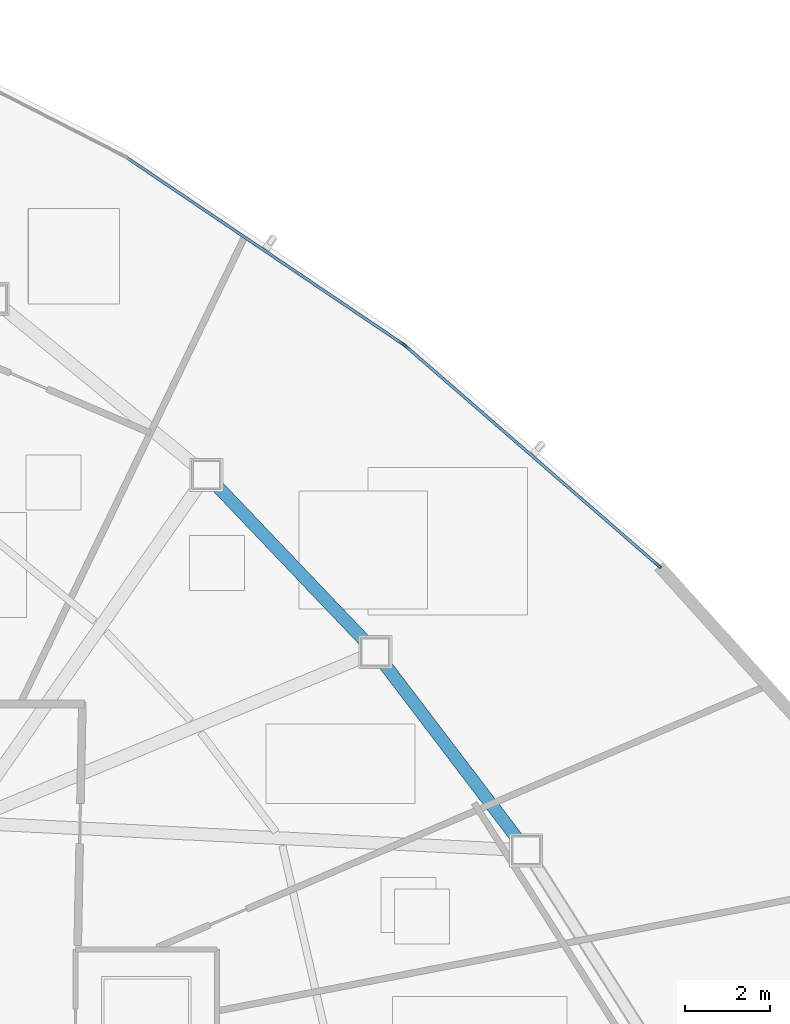
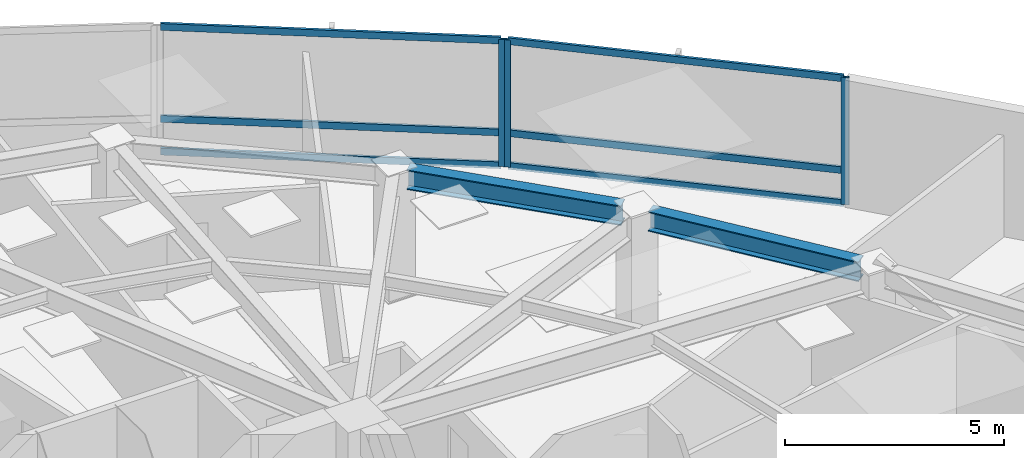
# One storey, part 9 of 17: 9 members, 2 beams, 2 elements without a shape of their own.
"""IFC4 building model written with IfcOpenShell, lengths in metres."""

from ifc_helpers import new_model, si_unit, direction, frame, origin, origin_2d, place, context, subcontext, project, spatial, hollow_rectangle, i_section, extrude, source, transform, mapped, material, layer, layer_set, material_profile, profile_set, type_object, type_shapes, element, aggregate, save


model = new_model("IFC4")

# Units and contexts
model_context = context("Model", 3, precision=1e-05, world=origin(), true_north=direction((0.0, 1.0)))
body_context = subcontext(model_context, "Body", "Model", "MODEL_VIEW")
ifc_project = project(units=[si_unit("LENGTHUNIT", "METRE"), si_unit("AREAUNIT", "SQUARE_METRE"), si_unit("VOLUMEUNIT", "CUBIC_METRE"), si_unit("PLANEANGLEUNIT", "RADIAN"), si_unit("MASSUNIT", "GRAM", prefix="KILO")], contexts=[model_context])

# Site, building, storey
site_placement = place(None, origin())
site = spatial("IfcSite", under=ifc_project, at=site_placement, CompositionType="ELEMENT")
building_placement = place(site_placement, origin())
building = spatial("IfcBuilding", under=site, at=building_placement, Name="Tavelor Broadcast Tower", CompositionType="ELEMENT")
storey_placement = place(building_placement, frame((0.0, 0.0, 127.14990234375)))
storey = spatial("IfcBuildingStorey", under=building, at=storey_placement, Name="L29", CompositionType="ELEMENT", Elevation=127.14990234375)

# Beams
ifc_material_1 = material(Name="Steel S355", Category="steel")
ifc_material_profile_1 = material_profile(ifc_material_1, i_section(OverallWidth=0.300048828125, OverallDepth=0.550048828125, WebThickness=0.014892578125, FlangeThickness=0.029052734375, at=origin_2d()), Name="HEB 550")
ifc_profile_set_1 = profile_set([ifc_material_profile_1], Name="Steel S355")
beam_type = type_object("IfcBeamType", Name="Perimeter Spandrel Beam T3 HEB 550", PredefinedType="SPANDREL", material=ifc_profile_set_1)
beam_1_placement = place(storey_placement, frame((69.6826171875, 50.8115234375, 3.275146484375), z_axis=(-0.605507005058, 0.795839975639, 0.0), x_axis=(-0.795839975639, -0.605507005058, 0.0)))
element("IfcBeam", 1, at=beam_1_placement, inside=storey, type_object=beam_type, Name="L29 Framed-Tube Ring Spandrel 14", PredefinedType="SPANDREL", context=body_context, shape_type="SweptSolid", body=[
    extrude(i_section(OverallWidth=0.300048828125, OverallDepth=0.550048828125, WebThickness=0.014892578125, FlangeThickness=0.029052734375, at=origin_2d()), origin(), (0.0, 0.0, 1.0), 5.214111328125),
])
beam_2_placement = place(storey_placement, frame((66.090087890625, 55.471923828125, 3.275146484375), z_axis=(-0.689928162502, 0.723877842309, 0.0), x_axis=(-0.723877842309, -0.689928162502, 0.0)))
element("IfcBeam", 2, at=beam_2_placement, inside=storey, type_object=beam_type, Name="L29 Framed-Tube Ring Spandrel 15", PredefinedType="SPANDREL", context=body_context, shape_type="SweptSolid", body=[
    extrude(i_section(OverallWidth=0.300048828125, OverallDepth=0.550048828125, WebThickness=0.014892578125, FlangeThickness=0.029052734375, at=origin_2d()), origin(), (0.0, 0.0, 1.0), 5.113037109375),
])

# Curtain wall, members
ifc_material_2 = material(Name="Architectural Anodized Aluminium", Category="aluminium")
ifc_layer = layer(ifc_material_2, 0.18994140625)
ifc_layer_set = layer_set([ifc_layer], Name="Architectural Anodized Aluminium")
curtain_wall_type = type_object("IfcCurtainWallType", Name="Tower Mid-Zone Acoustic Curtain Wall CW03", PredefinedType="NOTDEFINED", material=ifc_layer_set)
curtain_wall_1_placement = place(storey_placement, origin())
curtain_wall_1 = element("IfcCurtainWall", 3, at=curtain_wall_1_placement, inside=storey, type_object=curtain_wall_type, Name="L29 Curtain Wall CW03 Run 297", PredefinedType="NOTDEFINED")
ifc_material_profile_2 = material_profile(ifc_material_2, hollow_rectangle(XDim=0.068115234375, YDim=0.18994140625, WallThickness=0.02197265625, at=origin_2d()), Name="RHS 68x190x22")
ifc_profile_set_2 = profile_set([ifc_material_profile_2], Name="Architectural Anodized Aluminium")
member_type_1 = type_object("IfcMemberType", Name="CW03 Extruded Aluminium Mullion 68x190", PredefinedType="MULLION", material=ifc_profile_set_2)
shared_shape_1 = source(origin(), body_context, "Body", "SweptSolid", [
    extrude(hollow_rectangle(XDim=0.068115234375, YDim=0.18994140625, WallThickness=0.02197265625, at=origin_2d()), origin(), (0.0, 0.0, 1.0), 3.550048828125),
])
type_shapes(member_type_1, [shared_shape_1])
member_1_placement = place(storey_placement, frame((73.00341796875, 57.274658203125, 0.0), z_axis=(0.0, 0.0, 1.0), x_axis=(-0.655727954017, -0.754997251863, 0.0)))
member_1 = element("IfcMember", 4, at=member_1_placement, type_object=member_type_1, Name="CW03 mullion 1", PredefinedType="MULLION", context=body_context, shape_type="MappedRepresentation", body=[
    mapped(shared_shape_1, transform((0.0, 0.0, 0.0), scale=1.0)),
])
member_2_placement = place(storey_placement, frame((67.048828125, 62.446533203125, 0.0), z_axis=(0.0, 0.0, 1.0), x_axis=(-0.655727954017, -0.754997251863, 0.0)))
member_2 = element("IfcMember", 5, at=member_2_placement, type_object=member_type_1, Name="CW03 mullion 2", PredefinedType="MULLION", context=body_context, shape_type="MappedRepresentation", body=[
    mapped(shared_shape_1, transform((0.0, 0.0, 0.0), scale=1.0)),
])

# Curtain wall, member
curtain_wall_2_placement = place(storey_placement, origin())
curtain_wall_2 = element("IfcCurtainWall", 6, at=curtain_wall_2_placement, inside=storey, type_object=curtain_wall_type, Name="L29 Curtain Wall CW03 Run 298", PredefinedType="NOTDEFINED")
member_3_placement = place(storey_placement, frame((66.97119140625, 62.506103515625, 0.0), z_axis=(0.0, 0.0, 1.0), x_axis=(-0.559547260663, -0.828798445392, 0.0)))
member_3 = element("IfcMember", 7, at=member_3_placement, type_object=member_type_1, Name="CW03 mullion 1", PredefinedType="MULLION", context=body_context, shape_type="MappedRepresentation", body=[
    mapped(shared_shape_1, transform((0.0, 0.0, 0.0), scale=1.0)),
])

# Member
ifc_material_profile_3 = material_profile(ifc_material_2, hollow_rectangle(XDim=0.068115234375, YDim=0.18994140625, WallThickness=0.02197265625, at=origin_2d()), Name="RHS 68x190x22")
ifc_profile_set_3 = profile_set([ifc_material_profile_3], Name="Architectural Anodized Aluminium")
member_type_2 = type_object("IfcMemberType", Name="CW03 Extruded Aluminium Transom 68x190", PredefinedType="USERDEFINED", material=ifc_profile_set_3)
shared_shape_2 = source(origin(), body_context, "Body", "SweptSolid", [
    extrude(hollow_rectangle(XDim=0.068115234375, YDim=0.18994140625, WallThickness=0.02197265625, at=origin_2d()), origin(), (0.0, 0.0, 1.0), 7.819091796875),
])
member_4_placement = place(storey_placement, frame((72.977783203125, 57.296875, 0.0341796875), z_axis=(-0.754977794002, 0.655750356892, 0.0), x_axis=(-0.655750356892, -0.754977794002, 0.0)))
member_4 = element("IfcMember", 8, at=member_4_placement, type_object=member_type_2, Name="CW03 transom 1.1", ObjectType="TRANSOM", PredefinedType="USERDEFINED", context=body_context, shape_type="MappedRepresentation", body=[
    mapped(shared_shape_2, transform((0.0, 0.0, 0.0), scale=1.0)),
])

member_5_placement = place(storey_placement, frame((72.977783203125, 57.296875, 0.9501953125), z_axis=(-0.754977794002, 0.655750356892, 0.0), x_axis=(-0.655750356892, -0.754977794002, 0.0)))
member_5 = element("IfcMember", 9, at=member_5_placement, type_object=member_type_2, Name="CW03 transom 1.2", ObjectType="TRANSOM", PredefinedType="USERDEFINED", context=body_context, shape_type="MappedRepresentation", body=[
    mapped(shared_shape_2, transform((0.0, 0.0, 0.0), scale=1.0)),
])

member_6_placement = place(storey_placement, frame((72.977783203125, 57.296875, 3.51611328125), z_axis=(-0.754977794002, 0.655750356892, 0.0), x_axis=(-0.655750356892, -0.754977794002, 0.0)))
member_6 = element("IfcMember", 10, at=member_6_placement, type_object=member_type_2, Name="CW03 transom 1.3", ObjectType="TRANSOM", PredefinedType="USERDEFINED", context=body_context, shape_type="MappedRepresentation", body=[
    mapped(shared_shape_2, transform((0.0, 0.0, 0.0), scale=1.0)),
])

aggregate(curtain_wall_1, [member_1, member_2, member_4, member_5, member_6])

shared_shape_3 = source(origin(), body_context, "Body", "SweptSolid", [
    extrude(hollow_rectangle(XDim=0.068115234375, YDim=0.18994140625, WallThickness=0.02197265625, at=origin_2d()), origin(), (0.0, 0.0, 1.0), 7.80419921875),
])
type_shapes(member_type_2, [shared_shape_2, shared_shape_3])
member_7_placement = place(storey_placement, frame((66.943115234375, 62.525146484375, 0.0341796875), z_axis=(-0.828811680693, 0.559527656106, 0.0), x_axis=(-0.559527656106, -0.828811680693, 0.0)))
member_7 = element("IfcMember", 11, at=member_7_placement, type_object=member_type_2, Name="CW03 transom 1.1", ObjectType="TRANSOM", PredefinedType="USERDEFINED", context=body_context, shape_type="MappedRepresentation", body=[
    mapped(shared_shape_3, transform((0.0, 0.0, 0.0), scale=1.0)),
])

member_8_placement = place(storey_placement, frame((66.943115234375, 62.525146484375, 0.9501953125), z_axis=(-0.828811680693, 0.559527656106, 0.0), x_axis=(-0.559527656106, -0.828811680693, 0.0)))
member_8 = element("IfcMember", 12, at=member_8_placement, type_object=member_type_2, Name="CW03 transom 1.2", ObjectType="TRANSOM", PredefinedType="USERDEFINED", context=body_context, shape_type="MappedRepresentation", body=[
    mapped(shared_shape_3, transform((0.0, 0.0, 0.0), scale=1.0)),
])

member_9_placement = place(storey_placement, frame((66.943115234375, 62.525146484375, 3.51611328125), z_axis=(-0.828811680693, 0.559527656106, 0.0), x_axis=(-0.559527656106, -0.828811680693, 0.0)))
member_9 = element("IfcMember", 13, at=member_9_placement, type_object=member_type_2, Name="CW03 transom 1.3", ObjectType="TRANSOM", PredefinedType="USERDEFINED", context=body_context, shape_type="MappedRepresentation", body=[
    mapped(shared_shape_3, transform((0.0, 0.0, 0.0), scale=1.0)),
])

aggregate(curtain_wall_2, [member_3, member_7, member_8, member_9])

save(model, "model.ifc")
